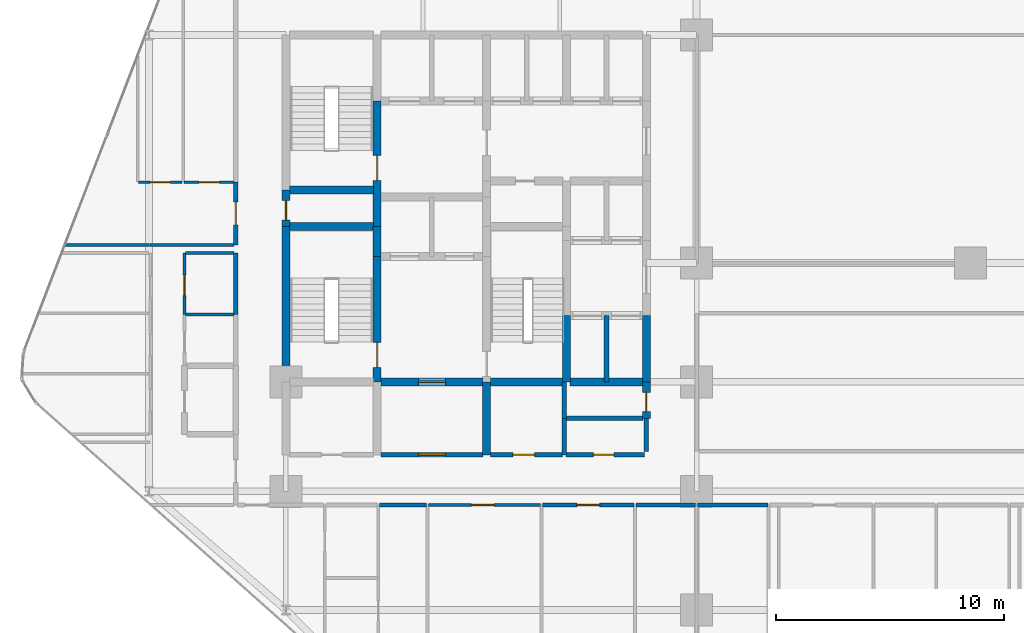
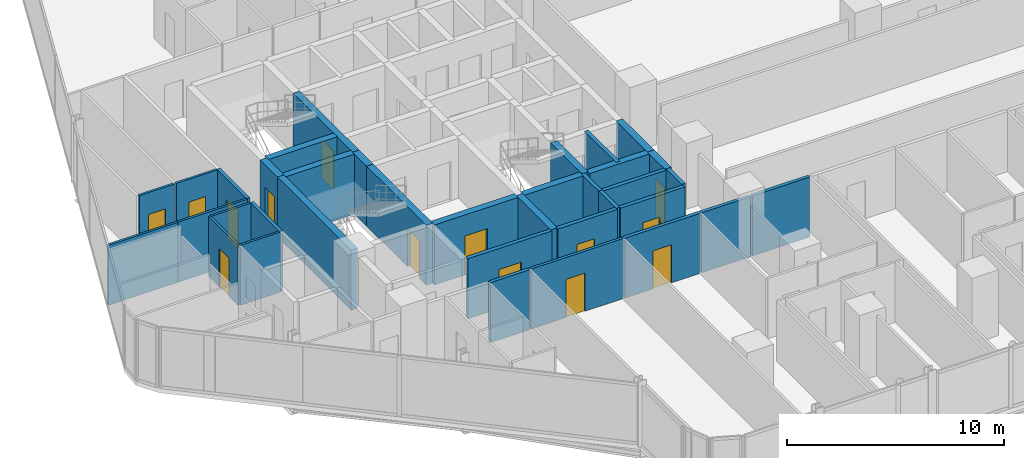
# One storey, part 27 of 33: 36 walls, 14 doors, 14 openings.
"""IFC4 building model written with IfcOpenShell, lengths in metres."""

from ifc_helpers import new_model, si_unit, direction, frame, frame_2d, origin, place, context, subcontext, project, spatial, rectangle, extrude, material, layer, layer_set, type_object, element, fill, save


model = new_model("IFC4")

# Units and contexts
model_context = context("Model", 3, precision=1e-05, world=origin(), true_north=direction((0.0, 1.0)))
body_context = subcontext(model_context, "Body", "Model", "MODEL_VIEW")
ifc_project = project(units=[si_unit("LENGTHUNIT", "METRE"), si_unit("AREAUNIT", "SQUARE_METRE"), si_unit("VOLUMEUNIT", "CUBIC_METRE"), si_unit("PLANEANGLEUNIT", "RADIAN"), si_unit("MASSUNIT", "GRAM", prefix="KILO")], contexts=[model_context])

# Site, building, storey
site_placement = place(None, origin())
site = spatial("IfcSite", under=ifc_project, at=site_placement, CompositionType="ELEMENT")
building_placement = place(site_placement, origin())
building = spatial("IfcBuilding", under=site, at=building_placement, Name="Keshet Zoharim Tower", CompositionType="ELEMENT")
storey_placement = place(building_placement, frame((0.0, 0.0, 42.5)))
storey = spatial("IfcBuildingStorey", under=building, at=storey_placement, Name="L09", CompositionType="ELEMENT", Elevation=42.5)

# Wall, opening, door
ifc_material_1 = material(Name="Gypsum Plasterboard", Category="gypsum")
ifc_layer_1 = layer(ifc_material_1, 0.14990234375)
ifc_layer_set_1 = layer_set([ifc_layer_1], Name="Gypsum Plasterboard")
wall_type_1 = type_object("IfcWallType", Name="WL-CLIN-150", PredefinedType="STANDARD", material=ifc_layer_set_1)
wall_1_placement = place(storey_placement, frame((21.2451171875, 17.300048828125, 0.0), z_axis=(0.0, 0.0, 1.0), x_axis=(1.0, 0.0, 0.0)))
wall_1 = element("IfcWall", 1, at=wall_1_placement, inside=storey, type_object=wall_type_1, Name="L09 Interior Wall 145", PredefinedType="STANDARD", context=body_context, shape_type="SweptSolid", body=[
    extrude(rectangle(XDim=4.909912109375, YDim=0.14990234375, at=frame_2d((2.455078125, 0.0))), origin(), (0.0, 0.0, 1.0), 3.385009765625),
])
opening_1_placement = place(wall_1_placement, frame((1.884033203125, 0.0, 0.0)))
opening_1 = element("IfcOpeningElement", 2, at=opening_1_placement, cuts=wall_1, Name="Opening D-F310", PredefinedType="OPENING", context=body_context, shape_type="SweptSolid", body=[
    extrude(rectangle(XDim=1.0, YDim=2.14990234375, at=frame_2d((0.5, 1.074951171875))), frame((0.0, 0.0849609375, 0.0), z_axis=(0.0, -1.0, 0.0), x_axis=(1.0, 0.0, 0.0)), (0.0, 0.0, 1.0), 0.169921875),
])
ifc_material_2 = material(Name="Hardwood Timber", Category="wood")
door_type_1 = type_object("IfcDoorType", Name="DR-FD30-100", OperationType="NOTDEFINED", PredefinedType="DOOR", material=ifc_material_2)
door_1_placement = place(opening_1_placement, origin())
door_1 = element("IfcDoor", 3, at=door_1_placement, inside=storey, type_object=door_type_1, Name="L09 Residents Co-Working Office Door", OperationType="SINGLE_SWING_LEFT", OverallHeight=2.14990234375, OverallWidth=1.0, PredefinedType="DOOR", context=body_context, shape_type="SweptSolid", body=[
    extrude(rectangle(XDim=1.0, YDim=2.14990234375, at=frame_2d((0.5, 1.074951171875))), frame((0.0, 0.02490234375, 0.0), z_axis=(0.0, -1.0, 0.0), x_axis=(1.0, 0.0, 0.0)), (0.0, 0.0, 1.0), 0.050048828125),
])
fill(opening_1, door_1)

# Wall
ifc_material_3 = material(Name="Concrete C60/75", Category="concrete")
ifc_layer_2 = layer(ifc_material_3, 0.35009765625)
ifc_layer_set_2 = layer_set([ifc_layer_2], Name="Concrete C60/75")
wall_type_2 = type_object("IfcWallType", Name="WL-CORE-350", PredefinedType="SHEAR", material=ifc_layer_set_2)
wall_2_placement = place(storey_placement, frame((15.0, 22.699951171875, 0.0), z_axis=(0.0, 0.0, 1.0), x_axis=(0.0, 1.0, 0.0)))
element("IfcWall", 4, at=wall_2_placement, inside=storey, type_object=wall_type_2, Name="L09 Core Shear Wall 014", PredefinedType="SHEAR", context=body_context, shape_type="SweptSolid", body=[
    extrude(rectangle(XDim=6.800048828125, YDim=0.35009765625, at=frame_2d((3.39990234375, 0.0))), origin(), (0.0, 0.0, 1.0), 3.385009765625),
])

# Wall, opening, door
wall_3_placement = place(storey_placement, frame((15.0, 29.5, 0.0), z_axis=(0.0, 0.0, 1.0), x_axis=(0.0, 1.0, 0.0)))
wall_3 = element("IfcWall", 5, at=wall_3_placement, inside=storey, type_object=wall_type_2, Name="L09 Core Shear Wall 015", PredefinedType="SHEAR", context=body_context, shape_type="SweptSolid", body=[
    extrude(rectangle(XDim=1.60009765625, YDim=0.35009765625, at=frame_2d((0.800048828125, 0.0))), origin(), (0.0, 0.0, 1.0), 3.385009765625),
])
opening_2_placement = place(wall_3_placement, frame((0.287109375, 0.0, 0.0)))
opening_2 = element("IfcOpeningElement", 6, at=opening_2_placement, cuts=wall_3, Name="Opening D-RS85", PredefinedType="OPENING", context=body_context, shape_type="SweptSolid", body=[
    extrude(rectangle(XDim=0.85009765625, YDim=2.10009765625, at=frame_2d((0.425048828125, 1.050048828125))), frame((0.0, 0.18505859375, 0.0), z_axis=(0.0, -1.0, 0.0), x_axis=(1.0, 0.0, 0.0)), (0.0, 0.0, 1.0), 0.3701171875),
])
door_type_2 = type_object("IfcDoorType", Name="DR-RIS-085", OperationType="NOTDEFINED", PredefinedType="DOOR", material=ifc_material_2)
door_2_placement = place(opening_2_placement, origin())
door_2 = element("IfcDoor", 7, at=door_2_placement, inside=storey, type_object=door_type_2, Name="L09 Electrical Riser Access Cupboard Door", OperationType="SINGLE_SWING_RIGHT", OverallHeight=2.10009765625, OverallWidth=0.85009765625, PredefinedType="DOOR", context=body_context, shape_type="SweptSolid", body=[
    extrude(rectangle(XDim=0.85009765625, YDim=2.10009765625, at=frame_2d((0.425048828125, 1.050048828125))), frame((0.0, 0.02490234375, 0.0), z_axis=(0.0, -1.0, 0.0), x_axis=(1.0, 0.0, 0.0)), (0.0, 0.0, 1.0), 0.050048828125),
])
fill(opening_2, door_2)

wall_4_placement = place(storey_placement, frame((19.0, 22.699951171875, 0.0), z_axis=(0.0, 0.0, 1.0), x_axis=(0.0, 1.0, 0.0)))
wall_4 = element("IfcWall", 8, at=wall_4_placement, inside=storey, type_object=wall_type_2, Name="L09 Core Shear Wall 022", PredefinedType="SHEAR", context=body_context, shape_type="SweptSolid", body=[
    extrude(rectangle(XDim=5.5, YDim=0.35009765625, at=frame_2d((2.75, 0.0))), origin(), (0.0, 0.0, 1.0), 3.385009765625),
])
opening_3_placement = place(wall_4_placement, frame((0.631103515625, 0.0, 0.0)))
opening_3 = element("IfcOpeningElement", 9, at=opening_3_placement, cuts=wall_4, Name="Opening D-F611", PredefinedType="OPENING", context=body_context, shape_type="SweptSolid", body=[
    extrude(rectangle(XDim=1.10009765625, YDim=2.14990234375, at=frame_2d((0.550048828125, 1.074951171875))), frame((0.0, 0.18505859375, 0.0), z_axis=(0.0, -1.0, 0.0), x_axis=(1.0, 0.0, 0.0)), (0.0, 0.0, 1.0), 0.3701171875),
])
door_type_3 = type_object("IfcDoorType", Name="DR-FD60-110", OperationType="NOTDEFINED", PredefinedType="DOOR", material=ifc_material_2)
door_3_placement = place(opening_3_placement, origin())
door_3 = element("IfcDoor", 10, at=door_3_placement, inside=storey, type_object=door_type_3, Name="L09 Exit Stair ST-01 Fire Door", OperationType="SINGLE_SWING_LEFT", OverallHeight=2.14990234375, OverallWidth=1.10009765625, PredefinedType="DOOR", context=body_context, shape_type="SweptSolid", body=[
    extrude(rectangle(XDim=1.10009765625, YDim=2.14990234375, at=frame_2d((0.550048828125, 1.074951171875))), frame((0.0, 0.02490234375, 0.0), z_axis=(0.0, -1.0, 0.0), x_axis=(1.0, 0.0, 0.0)), (0.0, 0.0, 1.0), 0.050048828125),
])
fill(opening_3, door_3)

# Wall
wall_5_placement = place(storey_placement, frame((19.0, 28.199951171875, 0.0), z_axis=(0.0, 0.0, 1.0), x_axis=(0.0, 1.0, 0.0)))
element("IfcWall", 11, at=wall_5_placement, inside=storey, type_object=wall_type_2, Name="L09 Core Shear Wall 023", PredefinedType="SHEAR", context=body_context, shape_type="SweptSolid", body=[
    extrude(rectangle(XDim=1.300048828125, YDim=0.35009765625, at=frame_2d((0.64990234375, 0.0))), origin(), (0.0, 0.0, 1.0), 3.385009765625),
])

# Wall, opening, door
wall_6_placement = place(storey_placement, frame((19.0, 29.5, 0.0), z_axis=(0.0, 0.0, 1.0), x_axis=(0.0, 1.0, 0.0)))
wall_6 = element("IfcWall", 12, at=wall_6_placement, inside=storey, type_object=wall_type_2, Name="L09 Core Shear Wall 024", PredefinedType="SHEAR", context=body_context, shape_type="SweptSolid", body=[
    extrude(rectangle(XDim=5.5, YDim=0.35009765625, at=frame_2d((2.75, 0.0))), origin(), (0.0, 0.0, 1.0), 3.385009765625),
])
opening_4_placement = place(wall_6_placement, frame((2.02490234375, 0.0, 0.0)))
opening_4 = element("IfcOpeningElement", 13, at=opening_4_placement, cuts=wall_6, Name="Opening D-F611", PredefinedType="OPENING", context=body_context, shape_type="SweptSolid", body=[
    extrude(rectangle(XDim=1.10009765625, YDim=2.14990234375, at=frame_2d((0.550048828125, 1.074951171875))), frame((0.0, 0.18505859375, 0.0), z_axis=(0.0, -1.0, 0.0), x_axis=(1.0, 0.0, 0.0)), (0.0, 0.0, 1.0), 0.3701171875),
])
door_4_placement = place(opening_4_placement, origin())
door_4 = element("IfcDoor", 14, at=door_4_placement, inside=storey, type_object=door_type_3, Name="L09 Exit Stair ST-02 Fire Door", OperationType="SINGLE_SWING_RIGHT", OverallHeight=2.14990234375, OverallWidth=1.10009765625, PredefinedType="DOOR", context=body_context, shape_type="SweptSolid", body=[
    extrude(rectangle(XDim=1.10009765625, YDim=2.14990234375, at=frame_2d((0.550048828125, 1.074951171875))), frame((0.0, 0.02490234375, 0.0), z_axis=(0.0, -1.0, 0.0), x_axis=(1.0, 0.0, 0.0)), (0.0, 0.0, 1.0), 0.050048828125),
])
fill(opening_4, door_4)

# Walls
wall_7_placement = place(storey_placement, frame((23.800048828125, 19.5, 0.0), z_axis=(0.0, 0.0, 1.0), x_axis=(0.0, 1.0, 0.0)))
element("IfcWall", 15, at=wall_7_placement, inside=storey, type_object=wall_type_2, Name="L09 Core Shear Wall 035", PredefinedType="SHEAR", context=body_context, shape_type="SweptSolid", body=[
    extrude(rectangle(XDim=3.199951171875, YDim=0.35009765625, at=frame_2d((1.60009765625, 0.0))), origin(), (0.0, 0.0, 1.0), 3.385009765625),
])
wall_8_placement = place(storey_placement, frame((27.300048828125, 22.699951171875, 0.0), z_axis=(0.0, 0.0, 1.0), x_axis=(0.0, 1.0, 0.0)))
element("IfcWall", 16, at=wall_8_placement, inside=storey, type_object=wall_type_2, Name="L09 Core Shear Wall 047", PredefinedType="SHEAR", context=body_context, shape_type="SweptSolid", body=[
    extrude(rectangle(XDim=2.900146484375, YDim=0.35009765625, at=frame_2d((1.4501953125, 0.0))), origin(), (0.0, 0.0, 1.0), 3.385009765625),
])

# Wall, opening, door
wall_9_placement = place(storey_placement, frame((30.800048828125, 21.10009765625, 0.0), z_axis=(0.0, 0.0, 1.0), x_axis=(0.0, 1.0, 0.0)))
wall_9 = element("IfcWall", 17, at=wall_9_placement, inside=storey, type_object=wall_type_2, Name="L09 Core Shear Wall 062", PredefinedType="SHEAR", context=body_context, shape_type="SweptSolid", body=[
    extrude(rectangle(XDim=1.599853515625, YDim=0.35009765625, at=frame_2d((0.7998046875, 0.0))), origin(), (0.0, 0.0, 1.0), 3.385009765625),
])
opening_5_placement = place(wall_9_placement, frame((0.287109375, 0.0, 0.0)))
opening_5 = element("IfcOpeningElement", 18, at=opening_5_placement, cuts=wall_9, Name="Opening D-RS85", PredefinedType="OPENING", context=body_context, shape_type="SweptSolid", body=[
    extrude(rectangle(XDim=0.85009765625, YDim=2.10009765625, at=frame_2d((0.425048828125, 1.050048828125))), frame((0.0, 0.18505859375, 0.0), z_axis=(0.0, -1.0, 0.0), x_axis=(1.0, 0.0, 0.0)), (0.0, 0.0, 1.0), 0.3701171875),
])
door_5_placement = place(opening_5_placement, origin())
door_5 = element("IfcDoor", 19, at=door_5_placement, inside=storey, type_object=door_type_2, Name="L09 Linen Store Door", OperationType="SINGLE_SWING_LEFT", OverallHeight=2.10009765625, OverallWidth=0.85009765625, PredefinedType="DOOR", context=body_context, shape_type="SweptSolid", body=[
    extrude(rectangle(XDim=0.85009765625, YDim=2.10009765625, at=frame_2d((0.425048828125, 1.050048828125))), frame((0.0, 0.02490234375, 0.0), z_axis=(0.0, -1.0, 0.0), x_axis=(1.0, 0.0, 0.0)), (0.0, 0.0, 1.0), 0.050048828125),
])
fill(opening_5, door_5)

# Wall
wall_10_placement = place(storey_placement, frame((30.800048828125, 22.699951171875, 0.0), z_axis=(0.0, 0.0, 1.0), x_axis=(0.0, 1.0, 0.0)))
element("IfcWall", 20, at=wall_10_placement, inside=storey, type_object=wall_type_2, Name="L09 Core Shear Wall 063", PredefinedType="SHEAR", context=body_context, shape_type="SweptSolid", body=[
    extrude(rectangle(XDim=2.900146484375, YDim=0.35009765625, at=frame_2d((1.4501953125, 0.0))), origin(), (0.0, 0.0, 1.0), 3.385009765625),
])

# Wall, opening, door
wall_11_placement = place(storey_placement, frame((19.159912109375, 22.699951171875, 0.0), z_axis=(0.0, 0.0, 1.0), x_axis=(1.0, 0.0, 0.0)))
wall_11 = element("IfcWall", 21, at=wall_11_placement, inside=storey, type_object=wall_type_2, Name="L09 Core Shear Wall 170", PredefinedType="SHEAR", context=body_context, shape_type="SweptSolid", body=[
    extrude(rectangle(XDim=4.47998046875, YDim=0.35009765625, at=frame_2d((2.239990234375, 0.0))), origin(), (0.0, 0.0, 1.0), 3.385009765625),
])
opening_6_placement = place(wall_11_placement, frame((1.639892578125, 0.0, 0.0)))
opening_6 = element("IfcOpeningElement", 22, at=opening_6_placement, cuts=wall_11, Name="Opening D-F612", PredefinedType="OPENING", context=body_context, shape_type="SweptSolid", body=[
    extrude(rectangle(XDim=1.199951171875, YDim=2.199951171875, at=frame_2d((0.60009765625, 1.10009765625))), frame((0.0, 0.18505859375, 0.0), z_axis=(0.0, -1.0, 0.0), x_axis=(1.0, 0.0, 0.0)), (0.0, 0.0, 1.0), 0.3701171875),
])
door_type_4 = type_object("IfcDoorType", Name="DR-FD60-120", OperationType="NOTDEFINED", PredefinedType="DOOR", material=ifc_material_2)
door_6_placement = place(opening_6_placement, origin())
door_6 = element("IfcDoor", 23, at=door_6_placement, inside=storey, type_object=door_type_4, Name="L09 South Core Lobby Fire Door", OperationType="SINGLE_SWING_LEFT", OverallHeight=2.199951171875, OverallWidth=1.199951171875, PredefinedType="DOOR", context=body_context, shape_type="SweptSolid", body=[
    extrude(rectangle(XDim=1.199951171875, YDim=2.199951171875, at=frame_2d((0.60009765625, 1.10009765625))), frame((0.0, 0.02490234375, 0.0), z_axis=(0.0, -1.0, 0.0), x_axis=(1.0, 0.0, 0.0)), (0.0, 0.0, 1.0), 0.050048828125),
])
fill(opening_6, door_6)

# Walls
wall_12_placement = place(storey_placement, frame((23.9599609375, 22.699951171875, 0.0), z_axis=(0.0, 0.0, 1.0), x_axis=(1.0, 0.0, 0.0)))
element("IfcWall", 24, at=wall_12_placement, inside=storey, type_object=wall_type_2, Name="L09 Core Shear Wall 171", PredefinedType="SHEAR", context=body_context, shape_type="SweptSolid", body=[
    extrude(rectangle(XDim=3.155029296875, YDim=0.35009765625, at=frame_2d((1.57763671875, 0.0))), origin(), (0.0, 0.0, 1.0), 3.385009765625),
])
wall_13_placement = place(storey_placement, frame((27.4599609375, 22.699951171875, 0.0), z_axis=(0.0, 0.0, 1.0), x_axis=(1.0, 0.0, 0.0)))
element("IfcWall", 25, at=wall_13_placement, inside=storey, type_object=wall_type_2, Name="L09 Core Shear Wall 172", PredefinedType="SHEAR", context=body_context, shape_type="SweptSolid", body=[
    extrude(rectangle(XDim=3.179931640625, YDim=0.35009765625, at=frame_2d((1.58984375, 0.0))), origin(), (0.0, 0.0, 1.0), 3.385009765625),
])
for number, where, z_axis, x_axis, name in (
    (26, (15.159912109375, 29.5, 0.0), (0.0, 0.0, 1.0), (1.0, 0.0, 0.0), "L09 Core Shear Wall 186"),
    (27, (15.159912109375, 31.10009765625, 0.0), (0.0, 0.0, 1.0), (1.0, 0.0, 0.0), "L09 Core Shear Wall 189"),
):
    element("IfcWall", number, at=place(storey_placement, frame(where, z_axis=z_axis, x_axis=x_axis)), inside=storey, type_object=wall_type_2, Name=name, PredefinedType="SHEAR", context=body_context, shape_type="SweptSolid", body=[
        extrude(rectangle(XDim=3.68017578125, YDim=0.35009765625, at=frame_2d((1.840087890625, 0.0))), origin(), (0.0, 0.0, 1.0), 3.385009765625),
    ])
ifc_layer_3 = layer(ifc_material_1, 0.179931640625)
ifc_layer_set_3 = layer_set([ifc_layer_3], Name="Gypsum Plasterboard")
wall_type_3 = type_object("IfcWallType", Name="WL-CORR-180", PredefinedType="STANDARD", material=ifc_layer_set_3)
wall_14_placement = place(storey_placement, frame((12.800048828125, 25.64697265625, 0.0), z_axis=(0.0, 0.0, 1.0), x_axis=(0.0, 1.0, 0.0)))
element("IfcWall", 28, at=wall_14_placement, inside=storey, type_object=wall_type_3, Name="L09 Interior Wall 010", PredefinedType="STANDARD", context=body_context, shape_type="SweptSolid", body=[
    extrude(rectangle(XDim=2.703125, YDim=0.179931640625, at=frame_2d((1.3515625, 0.0))), origin(), (0.0, 0.0, 1.0), 3.385009765625),
])

# Wall, opening, door
wall_15_placement = place(storey_placement, frame((12.800048828125, 28.699951171875, 0.0), z_axis=(0.0, 0.0, 1.0), x_axis=(0.0, 1.0, 0.0)))
wall_15 = element("IfcWall", 29, at=wall_15_placement, inside=storey, type_object=wall_type_3, Name="L09 Interior Wall 011", PredefinedType="STANDARD", context=body_context, shape_type="SweptSolid", body=[
    extrude(rectangle(XDim=2.75, YDim=0.179931640625, at=frame_2d((1.375, 0.0))), origin(), (0.0, 0.0, 1.0), 3.385009765625),
])
opening_7_placement = place(wall_15_placement, frame((0.875, 0.0, 0.0)))
opening_7 = element("IfcOpeningElement", 30, at=opening_7_placement, cuts=wall_15, Name="Opening D-F310", PredefinedType="OPENING", context=body_context, shape_type="SweptSolid", body=[
    extrude(rectangle(XDim=1.0, YDim=2.14990234375, at=frame_2d((0.5, 1.074951171875))), frame((0.0, 0.10009765625, 0.0), z_axis=(0.0, -1.0, 0.0), x_axis=(1.0, 0.0, 0.0)), (0.0, 0.0, 1.0), 0.199951171875),
])
door_7_placement = place(opening_7_placement, origin())
door_7 = element("IfcDoor", 31, at=door_7_placement, inside=storey, type_object=door_type_1, Name="Apartment 0911 Entrance Door", OperationType="SINGLE_SWING_LEFT", OverallHeight=2.14990234375, OverallWidth=1.0, PredefinedType="DOOR", context=body_context, shape_type="SweptSolid", body=[
    extrude(rectangle(XDim=1.0, YDim=2.14990234375, at=frame_2d((0.5, 1.074951171875))), frame((0.0, 0.02490234375, 0.0), z_axis=(0.0, -1.0, 0.0), x_axis=(1.0, 0.0, 0.0)), (0.0, 0.0, 1.0), 0.050048828125),
])
fill(opening_7, door_7)

# Wall
wall_16_placement = place(storey_placement, frame((19.094970703125, 17.300048828125, 0.0), z_axis=(0.0, 0.0, 1.0), x_axis=(1.0, 0.0, 0.0)))
element("IfcWall", 32, at=wall_16_placement, inside=storey, type_object=wall_type_3, Name="L09 Interior Wall 144", PredefinedType="STANDARD", context=body_context, shape_type="SweptSolid", body=[
    extrude(rectangle(XDim=2.06005859375, YDim=0.179931640625, at=frame_2d((1.030029296875, 0.0))), origin(), (0.0, 0.0, 1.0), 3.385009765625),
])

# Wall, opening, door
wall_17_placement = place(storey_placement, frame((26.2451171875, 17.300048828125, 0.0), z_axis=(0.0, 0.0, 1.0), x_axis=(1.0, 0.0, 0.0)))
wall_17 = element("IfcWall", 33, at=wall_17_placement, inside=storey, type_object=wall_type_3, Name="L09 Interior Wall 146", PredefinedType="STANDARD", context=body_context, shape_type="SweptSolid", body=[
    extrude(rectangle(XDim=4.009765625, YDim=0.179931640625, at=frame_2d((2.0048828125, 0.0))), origin(), (0.0, 0.0, 1.0), 3.385009765625),
])
opening_8_placement = place(wall_17_placement, frame((1.5048828125, 0.0, 0.0)))
opening_8 = element("IfcOpeningElement", 34, at=opening_8_placement, cuts=wall_17, Name="Opening D-F310", PredefinedType="OPENING", context=body_context, shape_type="SweptSolid", body=[
    extrude(rectangle(XDim=1.0, YDim=2.14990234375, at=frame_2d((0.5, 1.074951171875))), frame((0.0, 0.10009765625, 0.0), z_axis=(0.0, -1.0, 0.0), x_axis=(1.0, 0.0, 0.0)), (0.0, 0.0, 1.0), 0.199951171875),
])
door_8_placement = place(opening_8_placement, origin())
door_8 = element("IfcDoor", 35, at=door_8_placement, inside=storey, type_object=door_type_1, Name="Apartment 0902 Entrance Door", OperationType="SINGLE_SWING_RIGHT", OverallHeight=2.14990234375, OverallWidth=1.0, PredefinedType="DOOR", context=body_context, shape_type="SweptSolid", body=[
    extrude(rectangle(XDim=1.0, YDim=2.14990234375, at=frame_2d((0.5, 1.074951171875))), frame((0.0, 0.02490234375, 0.0), z_axis=(0.0, -1.0, 0.0), x_axis=(1.0, 0.0, 0.0)), (0.0, 0.0, 1.0), 0.050048828125),
])
fill(opening_8, door_8)

# Walls
wall_18_placement = place(storey_placement, frame((30.344970703125, 17.300048828125, 0.0), z_axis=(0.0, 0.0, 1.0), x_axis=(1.0, 0.0, 0.0)))
element("IfcWall", 36, at=wall_18_placement, inside=storey, type_object=wall_type_3, Name="L09 Interior Wall 147", PredefinedType="STANDARD", context=body_context, shape_type="SweptSolid", body=[
    extrude(rectangle(XDim=2.610107421875, YDim=0.179931640625, at=frame_2d((1.30517578125, 0.0))), origin(), (0.0, 0.0, 1.0), 3.385009765625),
])
wall_19_placement = place(storey_placement, frame((33.044921875, 17.300048828125, 0.0), z_axis=(0.0, 0.0, 1.0), x_axis=(1.0, 0.0, 0.0)))
element("IfcWall", 37, at=wall_19_placement, inside=storey, type_object=wall_type_3, Name="L09 Interior Wall 148", PredefinedType="STANDARD", context=body_context, shape_type="SweptSolid", body=[
    extrude(rectangle(XDim=3.080078125, YDim=0.179931640625, at=frame_2d((1.5400390625, 0.0))), origin(), (0.0, 0.0, 1.0), 3.385009765625),
])
ifc_material_4 = material(Name="Concrete C50/60", Category="concrete")
ifc_layer_4 = layer(ifc_material_4, 0.199951171875)
ifc_layer_set_4 = layer_set([ifc_layer_4], Name="Concrete C50/60")
wall_type_4 = type_object("IfcWallType", Name="WL-FIRE-200", PredefinedType="STANDARD", material=ifc_layer_set_4)
wall_20_placement = place(storey_placement, frame((27.199951171875, 19.5, 0.0), z_axis=(0.0, 0.0, 1.0), x_axis=(0.0, 1.0, 0.0)))
element("IfcWall", 38, at=wall_20_placement, inside=storey, type_object=wall_type_4, Name="L09 Interior Wall 045", PredefinedType="STANDARD", context=body_context, shape_type="SweptSolid", body=[
    extrude(rectangle(XDim=1.60009765625, YDim=0.199951171875, at=frame_2d((0.800048828125, 0.0))), origin(), (0.0, 0.0, 1.0), 3.385009765625),
])
wall_21_placement = place(storey_placement, frame((27.199951171875, 21.10009765625, 0.0), z_axis=(0.0, 0.0, 1.0), x_axis=(0.0, 1.0, 0.0)))
element("IfcWall", 39, at=wall_21_placement, inside=storey, type_object=wall_type_4, Name="L09 Interior Wall 046", PredefinedType="STANDARD", context=body_context, shape_type="SweptSolid", body=[
    extrude(rectangle(XDim=1.599853515625, YDim=0.199951171875, at=frame_2d((0.7998046875, 0.0))), origin(), (0.0, 0.0, 1.0), 3.385009765625),
])
wall_22_placement = place(storey_placement, frame((29.050048828125, 22.699951171875, 0.0), z_axis=(0.0, 0.0, 1.0), x_axis=(0.0, 1.0, 0.0)))
element("IfcWall", 40, at=wall_22_placement, inside=storey, type_object=wall_type_4, Name="L09 Interior Wall 055", PredefinedType="STANDARD", context=body_context, shape_type="SweptSolid", body=[
    extrude(rectangle(XDim=2.900146484375, YDim=0.199951171875, at=frame_2d((1.4501953125, 0.0))), origin(), (0.0, 0.0, 1.0), 3.385009765625),
])
wall_23_placement = place(storey_placement, frame((30.800048828125, 19.64990234375, 0.0), z_axis=(0.0, 0.0, 1.0), x_axis=(0.0, 1.0, 0.0)))
element("IfcWall", 41, at=wall_23_placement, inside=storey, type_object=wall_type_4, Name="L09 Interior Wall 061", PredefinedType="STANDARD", context=body_context, shape_type="SweptSolid", body=[
    extrude(rectangle(XDim=1.4501953125, YDim=0.199951171875, at=frame_2d((0.72509765625, 0.0))), origin(), (0.0, 0.0, 1.0), 3.385009765625),
])

# Wall, opening, door
wall_24_placement = place(storey_placement, frame((19.159912109375, 19.5, 0.0), z_axis=(0.0, 0.0, 1.0), x_axis=(1.0, 0.0, 0.0)))
wall_24 = element("IfcWall", 42, at=wall_24_placement, inside=storey, type_object=wall_type_4, Name="L09 Interior Wall 161", PredefinedType="STANDARD", context=body_context, shape_type="SweptSolid", body=[
    extrude(rectangle(XDim=4.47998046875, YDim=0.199951171875, at=frame_2d((2.239990234375, 0.0))), origin(), (0.0, 0.0, 1.0), 3.385009765625),
])
opening_9_placement = place(wall_24_placement, frame((1.639892578125, 0.0, 0.0)))
opening_9 = element("IfcOpeningElement", 43, at=opening_9_placement, cuts=wall_24, Name="Opening D-F612", PredefinedType="OPENING", context=body_context, shape_type="SweptSolid", body=[
    extrude(rectangle(XDim=1.199951171875, YDim=2.199951171875, at=frame_2d((0.60009765625, 1.10009765625))), frame((0.0, 0.10986328125, 0.0), z_axis=(0.0, -1.0, 0.0), x_axis=(1.0, 0.0, 0.0)), (0.0, 0.0, 1.0), 0.219970703125),
])
door_9_placement = place(opening_9_placement, origin())
door_9 = element("IfcDoor", 44, at=door_9_placement, inside=storey, type_object=door_type_4, Name="L09 South Vestibule Corridor Door", OperationType="SINGLE_SWING_LEFT", OverallHeight=2.199951171875, OverallWidth=1.199951171875, PredefinedType="DOOR", context=body_context, shape_type="SweptSolid", body=[
    extrude(rectangle(XDim=1.199951171875, YDim=2.199951171875, at=frame_2d((0.60009765625, 1.10009765625))), frame((0.0, 0.02490234375, 0.0), z_axis=(0.0, -1.0, 0.0), x_axis=(1.0, 0.0, 0.0)), (0.0, 0.0, 1.0), 0.050048828125),
])
fill(opening_9, door_9)

wall_25_placement = place(storey_placement, frame((23.9599609375, 19.5, 0.0), z_axis=(0.0, 0.0, 1.0), x_axis=(1.0, 0.0, 0.0)))
wall_25 = element("IfcWall", 45, at=wall_25_placement, inside=storey, type_object=wall_type_4, Name="L09 Interior Wall 162", PredefinedType="STANDARD", context=body_context, shape_type="SweptSolid", body=[
    extrude(rectangle(XDim=3.155029296875, YDim=0.199951171875, at=frame_2d((1.57763671875, 0.0))), origin(), (0.0, 0.0, 1.0), 3.385009765625),
])
opening_10_placement = place(wall_25_placement, frame((0.990966796875, 0.0, 0.0)))
opening_10 = element("IfcOpeningElement", 46, at=opening_10_placement, cuts=wall_25, Name="Opening D-F695", PredefinedType="OPENING", context=body_context, shape_type="SweptSolid", body=[
    extrude(rectangle(XDim=0.949951171875, YDim=2.14990234375, at=frame_2d((0.47509765625, 1.074951171875))), frame((0.0, 0.10986328125, 0.0), z_axis=(0.0, -1.0, 0.0), x_axis=(1.0, 0.0, 0.0)), (0.0, 0.0, 1.0), 0.219970703125),
])
door_type_5 = type_object("IfcDoorType", Name="DR-FD60-095", OperationType="NOTDEFINED", PredefinedType="DOOR", material=ifc_material_2)
door_10_placement = place(opening_10_placement, origin())
door_10 = element("IfcDoor", 47, at=door_10_placement, inside=storey, type_object=door_type_5, Name="L09 Utility Room Door", OperationType="SINGLE_SWING_RIGHT", OverallHeight=2.14990234375, OverallWidth=0.949951171875, PredefinedType="DOOR", context=body_context, shape_type="SweptSolid", body=[
    extrude(rectangle(XDim=0.949951171875, YDim=2.14990234375, at=frame_2d((0.47509765625, 1.074951171875))), frame((0.0, 0.02490234375, 0.0), z_axis=(0.0, -1.0, 0.0), x_axis=(1.0, 0.0, 0.0)), (0.0, 0.0, 1.0), 0.050048828125),
])
fill(opening_10, door_10)

wall_26_placement = place(storey_placement, frame((27.284912109375, 19.5, 0.0), z_axis=(0.0, 0.0, 1.0), x_axis=(1.0, 0.0, 0.0)))
wall_26 = element("IfcWall", 48, at=wall_26_placement, inside=storey, type_object=wall_type_4, Name="L09 Interior Wall 163", PredefinedType="STANDARD", context=body_context, shape_type="SweptSolid", body=[
    extrude(rectangle(XDim=3.43017578125, YDim=0.199951171875, at=frame_2d((1.715087890625, 0.0))), origin(), (0.0, 0.0, 1.0), 3.385009765625),
])
opening_11_placement = place(wall_26_placement, frame((1.19189453125, 0.0, 0.0)))
opening_11 = element("IfcOpeningElement", 49, at=opening_11_placement, cuts=wall_26, Name="Opening D-F690", PredefinedType="OPENING", context=body_context, shape_type="SweptSolid", body=[
    extrude(rectangle(XDim=0.89990234375, YDim=2.14990234375, at=frame_2d((0.449951171875, 1.074951171875))), frame((0.0, 0.10986328125, 0.0), z_axis=(0.0, -1.0, 0.0), x_axis=(1.0, 0.0, 0.0)), (0.0, 0.0, 1.0), 0.219970703125),
])
door_type_6 = type_object("IfcDoorType", Name="DR-FD60-090", OperationType="NOTDEFINED", PredefinedType="DOOR", material=ifc_material_2)
door_11_placement = place(opening_11_placement, origin())
door_11 = element("IfcDoor", 50, at=door_11_placement, inside=storey, type_object=door_type_6, Name="L09 Valve Room Door", OperationType="SINGLE_SWING_LEFT", OverallHeight=2.14990234375, OverallWidth=0.89990234375, PredefinedType="DOOR", context=body_context, shape_type="SweptSolid", body=[
    extrude(rectangle(XDim=0.89990234375, YDim=2.14990234375, at=frame_2d((0.449951171875, 1.074951171875))), frame((0.0, 0.02490234375, 0.0), z_axis=(0.0, -1.0, 0.0), x_axis=(1.0, 0.0, 0.0)), (0.0, 0.0, 1.0), 0.050048828125),
])
fill(opening_11, door_11)

# Wall
wall_27_placement = place(storey_placement, frame((27.284912109375, 21.10009765625, 0.0), z_axis=(0.0, 0.0, 1.0), x_axis=(1.0, 0.0, 0.0)))
element("IfcWall", 51, at=wall_27_placement, inside=storey, type_object=wall_type_4, Name="L09 Interior Wall 168", PredefinedType="STANDARD", context=body_context, shape_type="SweptSolid", body=[
    extrude(rectangle(XDim=3.35498046875, YDim=0.199951171875, at=frame_2d((1.677490234375, 0.0))), origin(), (0.0, 0.0, 1.0), 3.385009765625),
])

# Wall, opening, door
ifc_layer_5 = layer(ifc_material_1, 0.1201171875)
ifc_layer_set_5 = layer_set([ifc_layer_5], Name="Gypsum Plasterboard")
wall_type_5 = type_object("IfcWallType", Name="WL-PART-120", PredefinedType="PARTITIONING", material=ifc_layer_set_5)
wall_28_placement = place(storey_placement, frame((10.550048828125, 25.64697265625, 0.0), z_axis=(0.0, 0.0, 1.0), x_axis=(0.0, 1.0, 0.0)))
wall_28 = element("IfcWall", 52, at=wall_28_placement, inside=storey, type_object=wall_type_5, Name="L09 Interior Wall 006", PredefinedType="PARTITIONING", context=body_context, shape_type="SweptSolid", body=[
    extrude(rectangle(XDim=2.703125, YDim=0.1201171875, at=frame_2d((1.3515625, 0.0))), origin(), (0.0, 0.0, 1.0), 3.385009765625),
])
opening_12_placement = place(wall_28_placement, frame((0.830078125, 0.0, 0.0)))
opening_12 = element("IfcOpeningElement", 53, at=opening_12_placement, cuts=wall_28, Name="Opening D-IN90", PredefinedType="OPENING", context=body_context, shape_type="SweptSolid", body=[
    extrude(rectangle(XDim=0.89990234375, YDim=2.14990234375, at=frame_2d((0.449951171875, 1.074951171875))), frame((0.0, 0.070068359375, 0.0), z_axis=(0.0, -1.0, 0.0), x_axis=(1.0, 0.0, 0.0)), (0.0, 0.0, 1.0), 0.14013671875),
])
door_type_7 = type_object("IfcDoorType", Name="DR-INT-090", OperationType="NOTDEFINED", PredefinedType="DOOR", material=ifc_material_2)
door_12_placement = place(opening_12_placement, origin())
door_12 = element("IfcDoor", 54, at=door_12_placement, inside=storey, type_object=door_type_7, Name="Apartment 0910 Kitchen Door", OperationType="SINGLE_SWING_LEFT", OverallHeight=2.14990234375, OverallWidth=0.89990234375, PredefinedType="DOOR", context=body_context, shape_type="SweptSolid", body=[
    extrude(rectangle(XDim=0.89990234375, YDim=2.14990234375, at=frame_2d((0.449951171875, 1.074951171875))), frame((0.0, 0.02490234375, 0.0), z_axis=(0.0, -1.0, 0.0), x_axis=(1.0, 0.0, 0.0)), (0.0, 0.0, 1.0), 0.050048828125),
])
fill(opening_12, door_12)

# Walls
wall_29_placement = place(storey_placement, frame((10.594970703125, 28.35009765625, 0.0), z_axis=(0.0, 0.0, 1.0), x_axis=(1.0, 0.0, 0.0)))
element("IfcWall", 55, at=wall_29_placement, inside=storey, type_object=wall_type_5, Name="L09 Interior Wall 182", PredefinedType="PARTITIONING", context=body_context, shape_type="SweptSolid", body=[
    extrude(rectangle(XDim=2.130126953125, YDim=0.1201171875, at=frame_2d((1.06494140625, 0.0))), origin(), (0.0, 0.0, 1.0), 3.385009765625),
])
wall_30_placement = place(storey_placement, frame((5.31689453125, 28.699951171875, 0.0), z_axis=(0.0, 0.0, 1.0), x_axis=(1.0, 0.0, 0.0)))
element("IfcWall", 56, at=wall_30_placement, inside=storey, type_object=wall_type_5, Name="L09 Interior Wall 183", PredefinedType="PARTITIONING", context=body_context, shape_type="SweptSolid", body=[
    extrude(rectangle(XDim=3.713134765625, YDim=0.1201171875, at=frame_2d((1.8564453125, 0.0))), origin(), (0.0, 0.0, 1.0), 3.385009765625),
])
wall_31_placement = place(storey_placement, frame((9.030029296875, 28.699951171875, 0.0), z_axis=(0.0, 0.0, 1.0), x_axis=(1.0, 0.0, 0.0)))
element("IfcWall", 57, at=wall_31_placement, inside=storey, type_object=wall_type_5, Name="L09 Interior Wall 184", PredefinedType="PARTITIONING", context=body_context, shape_type="SweptSolid", body=[
    extrude(rectangle(XDim=3.695068359375, YDim=0.1201171875, at=frame_2d((1.84765625, 0.0))), origin(), (0.0, 0.0, 1.0), 3.385009765625),
])

# Wall, opening, door
wall_32_placement = place(storey_placement, frame((8.544921875, 31.449951171875, 0.0), z_axis=(0.0, 0.0, 1.0), x_axis=(1.0, 0.0, 0.0)))
wall_32 = element("IfcWall", 58, at=wall_32_placement, inside=storey, type_object=wall_type_5, Name="L09 Interior Wall 190", PredefinedType="PARTITIONING", context=body_context, shape_type="SweptSolid", body=[
    extrude(rectangle(XDim=1.88818359375, YDim=0.1201171875, at=frame_2d((0.944091796875, 0.0))), origin(), (0.0, 0.0, 1.0), 3.385009765625),
])
opening_13_placement = place(wall_32_placement, frame((0.493896484375, 0.0, 0.0)))
opening_13 = element("IfcOpeningElement", 59, at=opening_13_placement, cuts=wall_32, Name="Opening D-IN90", PredefinedType="OPENING", context=body_context, shape_type="SweptSolid", body=[
    extrude(rectangle(XDim=0.89990234375, YDim=2.14990234375, at=frame_2d((0.449951171875, 1.074951171875))), frame((0.0, 0.070068359375, 0.0), z_axis=(0.0, -1.0, 0.0), x_axis=(1.0, 0.0, 0.0)), (0.0, 0.0, 1.0), 0.14013671875),
])
door_13_placement = place(opening_13_placement, origin())
door_13 = element("IfcDoor", 60, at=door_13_placement, inside=storey, type_object=door_type_7, Name="Apartment 0911 Kitchen Door", OperationType="SINGLE_SWING_LEFT", OverallHeight=2.14990234375, OverallWidth=0.89990234375, PredefinedType="DOOR", context=body_context, shape_type="SweptSolid", body=[
    extrude(rectangle(XDim=0.89990234375, YDim=2.14990234375, at=frame_2d((0.449951171875, 1.074951171875))), frame((0.0, 0.02490234375, 0.0), z_axis=(0.0, -1.0, 0.0), x_axis=(1.0, 0.0, 0.0)), (0.0, 0.0, 1.0), 0.050048828125),
])
fill(opening_13, door_13)

# Wall
ifc_layer_6 = layer(ifc_material_1, 0.1201171875)
ifc_layer_set_6 = layer_set([ifc_layer_6], Name="Gypsum Plasterboard")
wall_type_6 = type_object("IfcWallType", Name="WL-WET-120", PredefinedType="PARTITIONING", material=ifc_layer_set_6)
wall_33_placement = place(storey_placement, frame((10.594970703125, 25.64990234375, 0.0), z_axis=(0.0, 0.0, 1.0), x_axis=(1.0, 0.0, 0.0)))
element("IfcWall", 61, at=wall_33_placement, inside=storey, type_object=wall_type_6, Name="L09 Interior Wall 176", PredefinedType="PARTITIONING", context=body_context, shape_type="SweptSolid", body=[
    extrude(rectangle(XDim=2.130126953125, YDim=0.1201171875, at=frame_2d((1.06494140625, 0.0))), origin(), (0.0, 0.0, 1.0), 3.385009765625),
])

# Wall, opening, door
wall_34_placement = place(storey_placement, frame((10.52294921875, 31.449951171875, 0.0), z_axis=(0.0, 0.0, 1.0), x_axis=(1.0, 0.0, 0.0)))
wall_34 = element("IfcWall", 62, at=wall_34_placement, inside=storey, type_object=wall_type_6, Name="L09 Interior Wall 191", PredefinedType="PARTITIONING", context=body_context, shape_type="SweptSolid", body=[
    extrude(rectangle(XDim=2.2021484375, YDim=0.1201171875, at=frame_2d((1.10107421875, 0.0))), origin(), (0.0, 0.0, 1.0), 3.385009765625),
])
opening_14_placement = place(wall_34_placement, frame((0.666015625, 0.0, 0.0)))
opening_14 = element("IfcOpeningElement", 63, at=opening_14_placement, cuts=wall_34, Name="Opening D-WT90", PredefinedType="OPENING", context=body_context, shape_type="SweptSolid", body=[
    extrude(rectangle(XDim=0.89990234375, YDim=2.10009765625, at=frame_2d((0.449951171875, 1.050048828125))), frame((0.0, 0.070068359375, 0.0), z_axis=(0.0, -1.0, 0.0), x_axis=(1.0, 0.0, 0.0)), (0.0, 0.0, 1.0), 0.14013671875),
])
door_type_8 = type_object("IfcDoorType", Name="DR-WET-090", OperationType="NOTDEFINED", PredefinedType="DOOR", material=ifc_material_2)
door_14_placement = place(opening_14_placement, origin())
door_14 = element("IfcDoor", 64, at=door_14_placement, inside=storey, type_object=door_type_8, Name="Apartment 0911 Bathroom Door", OperationType="SINGLE_SWING_RIGHT", OverallHeight=2.10009765625, OverallWidth=0.89990234375, PredefinedType="DOOR", context=body_context, shape_type="SweptSolid", body=[
    extrude(rectangle(XDim=0.89990234375, YDim=2.10009765625, at=frame_2d((0.449951171875, 1.050048828125))), frame((0.0, 0.02490234375, 0.0), z_axis=(0.0, -1.0, 0.0), x_axis=(1.0, 0.0, 0.0)), (0.0, 0.0, 1.0), 0.050048828125),
])
fill(opening_14, door_14)

save(model, "model.ifc")
